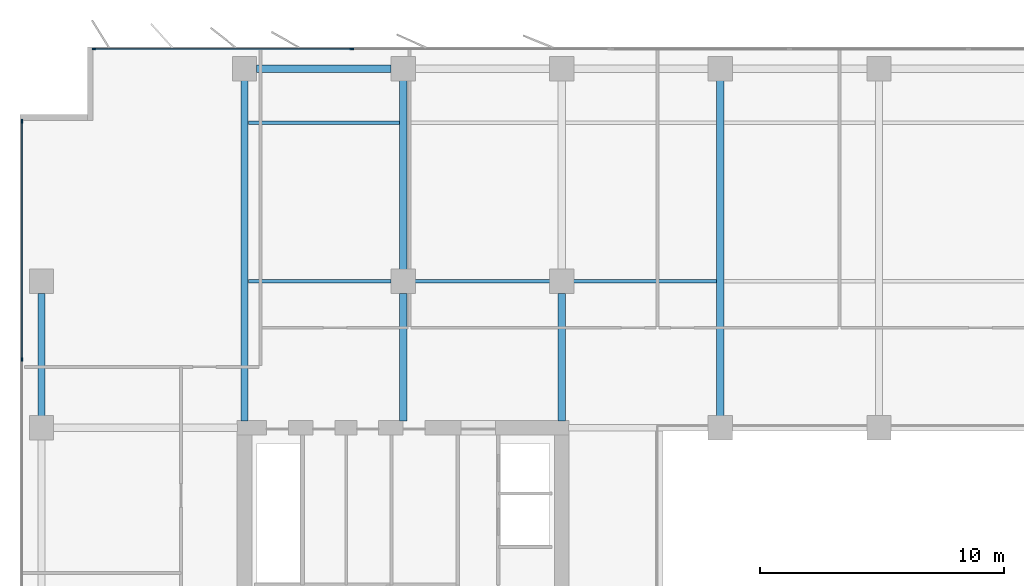
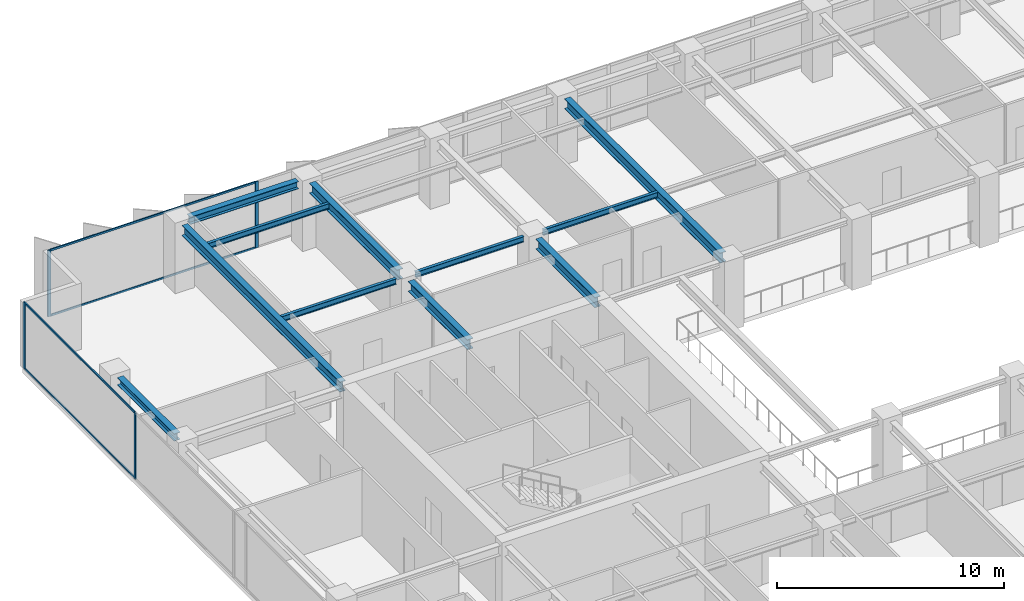
# One storey, part 8 of 22: 11 beams, 8 members, 2 elements without a shape of their own.
"""IFC4 building model written with IfcOpenShell, lengths in metres."""

from ifc_helpers import new_model, si_unit, direction, frame, origin, origin_2d, place, context, subcontext, project, spatial, rectangle, i_section, extrude, material, layer, layer_set, material_profile, profile_set, type_object, element, aggregate, save


model = new_model("IFC4")

# Units and contexts
model_context = context("Model", 3, precision=1e-05, world=origin(), true_north=direction((0.0, 1.0)))
body_context = subcontext(model_context, "Body", "Model", "MODEL_VIEW")
ifc_project = project(units=[si_unit("LENGTHUNIT", "METRE"), si_unit("AREAUNIT", "SQUARE_METRE"), si_unit("VOLUMEUNIT", "CUBIC_METRE"), si_unit("PLANEANGLEUNIT", "RADIAN"), si_unit("MASSUNIT", "GRAM", prefix="KILO")], contexts=[model_context])

# Site, building, storey
site_placement = place(None, origin())
site = spatial("IfcSite", under=ifc_project, at=site_placement, CompositionType="ELEMENT")
building_placement = place(site_placement, origin())
building = spatial("IfcBuilding", under=site, at=building_placement, Name="Putna Gate Headquarters", CompositionType="ELEMENT")
storey_placement = place(building_placement, frame((0.0, 0.0, 174.60009765625)))
storey = spatial("IfcBuildingStorey", under=building, at=storey_placement, Name="L43", CompositionType="ELEMENT", Elevation=174.60009765625)

# Beams
ifc_material_1 = material(Name="Steel S355J2", Category="steel")
ifc_material_profile_1 = material_profile(ifc_material_1, i_section(OverallWidth=0.300048828125, OverallDepth=0.550048828125, WebThickness=0.014892578125, FlangeThickness=0.029052734375, at=origin_2d()), Name="Steel S355J2")
ifc_profile_set_1 = profile_set([ifc_material_profile_1], Name="Steel S355J2")
beam_type_1 = type_object("IfcBeamType", Name="BM-GIRD-Z3-HEB550", PredefinedType="USERDEFINED", material=ifc_profile_set_1)
beam_1_placement = place(storey_placement, frame((13.0, 33.284912109375, 3.296875), z_axis=(0.0, 1.0, 0.0), x_axis=(-1.0, 0.0, 0.0)))
element("IfcBeam", 1, at=beam_1_placement, inside=storey, type_object=beam_type_1, Name="L43 North Primary Girder X13", ObjectType="GIRDER", PredefinedType="USERDEFINED", context=body_context, shape_type="SweptSolid", body=[
    extrude(i_section(OverallWidth=0.300048828125, OverallDepth=0.550048828125, WebThickness=0.014892578125, FlangeThickness=0.029052734375, at=origin_2d()), origin(), (0.0, 0.0, 1.0), 13.947021484375),
])
beam_2_placement = place(storey_placement, frame((19.5, 33.284912109375, 3.296875), z_axis=(0.0, 1.0, 0.0), x_axis=(-1.0, 0.0, 0.0)))
element("IfcBeam", 2, at=beam_2_placement, inside=storey, type_object=beam_type_1, Name="L43 North Primary Girder X19-1", ObjectType="GIRDER", PredefinedType="USERDEFINED", context=body_context, shape_type="SweptSolid", body=[
    extrude(i_section(OverallWidth=0.300048828125, OverallDepth=0.550048828125, WebThickness=0.014892578125, FlangeThickness=0.029052734375, at=origin_2d()), origin(), (0.0, 0.0, 1.0), 5.22705078125),
])
beam_3_placement = place(storey_placement, frame((19.5, 39.488037109375, 3.296875), z_axis=(0.0, 1.0, 0.0), x_axis=(-1.0, 0.0, 0.0)))
element("IfcBeam", 3, at=beam_3_placement, inside=storey, type_object=beam_type_1, Name="L43 North Primary Girder X19-2", ObjectType="GIRDER", PredefinedType="USERDEFINED", context=body_context, shape_type="SweptSolid", body=[
    extrude(i_section(OverallWidth=0.300048828125, OverallDepth=0.550048828125, WebThickness=0.014892578125, FlangeThickness=0.029052734375, at=origin_2d()), origin(), (0.0, 0.0, 1.0), 7.743896484375),
])
beam_4_placement = place(storey_placement, frame((26.0, 33.284912109375, 3.296875), z_axis=(0.0, 1.0, 0.0), x_axis=(-1.0, 0.0, 0.0)))
element("IfcBeam", 4, at=beam_4_placement, inside=storey, type_object=beam_type_1, Name="L43 North Primary Girder X26-1", ObjectType="GIRDER", PredefinedType="USERDEFINED", context=body_context, shape_type="SweptSolid", body=[
    extrude(i_section(OverallWidth=0.300048828125, OverallDepth=0.550048828125, WebThickness=0.014892578125, FlangeThickness=0.029052734375, at=origin_2d()), origin(), (0.0, 0.0, 1.0), 5.22705078125),
])
beam_5_placement = place(storey_placement, frame((32.5, 33.488037109375, 3.296875), z_axis=(0.0, 1.0, 0.0), x_axis=(-1.0, 0.0, 0.0)))
element("IfcBeam", 5, at=beam_5_placement, inside=storey, type_object=beam_type_1, Name="L43 North Primary Girder X32", ObjectType="GIRDER", PredefinedType="USERDEFINED", context=body_context, shape_type="SweptSolid", body=[
    extrude(i_section(OverallWidth=0.300048828125, OverallDepth=0.550048828125, WebThickness=0.014892578125, FlangeThickness=0.029052734375, at=origin_2d()), origin(), (0.0, 0.0, 1.0), 13.743896484375),
])
ifc_material_profile_2 = material_profile(ifc_material_1, i_section(OverallWidth=0.14990234375, OverallDepth=0.300048828125, WebThickness=0.007080078125, FlangeThickness=0.0107421875, at=origin_2d()), Name="Steel S355J2")
ifc_profile_set_2 = profile_set([ifc_material_profile_2], Name="Steel S355J2")
beam_type_2 = type_object("IfcBeamType", Name="BM-SEC-Z3-IPE300", PredefinedType="JOIST", material=ifc_profile_set_2)
beam_6_placement = place(storey_placement, frame((13.154052734375, 39.0, 3.421875), z_axis=(1.0, 0.0, 0.0), x_axis=(0.0, 1.0, 0.0)))
element("IfcBeam", 6, at=beam_6_placement, inside=storey, type_object=beam_type_2, Name="L43 North Secondary Beam 1", PredefinedType="JOIST", context=body_context, shape_type="SweptSolid", body=[
    extrude(i_section(OverallWidth=0.14990234375, OverallDepth=0.300048828125, WebThickness=0.007080078125, FlangeThickness=0.0107421875, at=origin_2d()), origin(), (0.0, 0.0, 1.0), 5.85791015625),
])
beam_7_placement = place(storey_placement, frame((13.154052734375, 45.5, 3.421875), z_axis=(1.0, 0.0, 0.0), x_axis=(0.0, 1.0, 0.0)))
element("IfcBeam", 7, at=beam_7_placement, inside=storey, type_object=beam_type_2, Name="L43 North Secondary Beam 1", PredefinedType="JOIST", context=body_context, shape_type="SweptSolid", body=[
    extrude(i_section(OverallWidth=0.14990234375, OverallDepth=0.300048828125, WebThickness=0.007080078125, FlangeThickness=0.0107421875, at=origin_2d()), origin(), (0.0, 0.0, 1.0), 6.19189453125),
])
beam_8_placement = place(storey_placement, frame((19.988037109375, 39.0, 3.421875), z_axis=(1.0, 0.0, 0.0), x_axis=(0.0, 1.0, 0.0)))
element("IfcBeam", 8, at=beam_8_placement, inside=storey, type_object=beam_type_2, Name="L43 North Secondary Beam 2", PredefinedType="JOIST", context=body_context, shape_type="SweptSolid", body=[
    extrude(i_section(OverallWidth=0.14990234375, OverallDepth=0.300048828125, WebThickness=0.007080078125, FlangeThickness=0.0107421875, at=origin_2d()), origin(), (0.0, 0.0, 1.0), 5.52392578125),
])
beam_9_placement = place(storey_placement, frame((26.488037109375, 39.0, 3.421875), z_axis=(1.0, 0.0, 0.0), x_axis=(0.0, 1.0, 0.0)))
element("IfcBeam", 9, at=beam_9_placement, inside=storey, type_object=beam_type_2, Name="L43 North Secondary Beam 3", PredefinedType="JOIST", context=body_context, shape_type="SweptSolid", body=[
    extrude(i_section(OverallWidth=0.14990234375, OverallDepth=0.300048828125, WebThickness=0.007080078125, FlangeThickness=0.0107421875, at=origin_2d()), origin(), (0.0, 0.0, 1.0), 5.85791015625),
])
ifc_material_profile_3 = material_profile(ifc_material_1, i_section(OverallWidth=0.300048828125, OverallDepth=0.39990234375, WebThickness=0.013427734375, FlangeThickness=0.02392578125, at=origin_2d()), Name="Steel S355J2")
ifc_profile_set_3 = profile_set([ifc_material_profile_3], Name="Steel S355J2")
beam_type_3 = type_object("IfcBeamType", Name="BM-SPAN-Z3-HEB400", PredefinedType="SPANDREL", material=ifc_profile_set_3)
beam_10_placement = place(storey_placement, frame((13.488037109375, 47.719970703125, 3.371826171875), z_axis=(1.0, 0.0, 0.0), x_axis=(0.0, 1.0, 0.0)))
element("IfcBeam", 10, at=beam_10_placement, inside=storey, type_object=beam_type_3, Name="L43 N Perimeter Spandrel 1", PredefinedType="SPANDREL", context=body_context, shape_type="SweptSolid", body=[
    extrude(i_section(OverallWidth=0.300048828125, OverallDepth=0.39990234375, WebThickness=0.013427734375, FlangeThickness=0.02392578125, at=origin_2d()), origin(), (0.0, 0.0, 1.0), 5.52392578125),
])
beam_11_placement = place(storey_placement, frame((4.679931640625, 33.488037109375, 3.371826171875), z_axis=(0.0, 1.0, 0.0), x_axis=(-1.0, 0.0, 0.0)))
element("IfcBeam", 11, at=beam_11_placement, inside=storey, type_object=beam_type_3, Name="L43 W End Spandrel 3", PredefinedType="SPANDREL", context=body_context, shape_type="SweptSolid", body=[
    extrude(i_section(OverallWidth=0.300048828125, OverallDepth=0.39990234375, WebThickness=0.013427734375, FlangeThickness=0.02392578125, at=origin_2d()), origin(), (0.0, 0.0, 1.0), 5.02392578125),
])

# Curtain wall, members
ifc_material_2 = material(Name="Anodised bronze aluminium curtain wall", Category="aluminium")
ifc_layer = layer(ifc_material_2, 0.159912109375)
ifc_layer_set = layer_set([ifc_layer], Name="Anodised bronze aluminium curtain wall")
curtain_wall_type = type_object("IfcCurtainWallType", Name="CW-SYS-Z3", PredefinedType="USERDEFINED", material=ifc_layer_set)
curtain_wall_1_placement = place(storey_placement, origin())
curtain_wall_1 = element("IfcCurtainWall", 12, at=curtain_wall_1_placement, inside=storey, type_object=curtain_wall_type, Name="L43 North West Curtain Wall", ObjectType="STICK CURTAIN WALL", PredefinedType="USERDEFINED")
ifc_material_3 = material(Name="Anodised bronze aluminium EN AW-6060", Category="aluminium")
ifc_material_profile_4 = material_profile(ifc_material_3, rectangle(XDim=0.06494140625, YDim=0.159912109375, at=origin_2d()), Name="Anodised bronze aluminium EN AW-6060")
ifc_profile_set_4 = profile_set([ifc_material_profile_4], Name="Anodised bronze aluminium EN AW-6060")
member_type_1 = type_object("IfcMemberType", Name="MULL-CWM-3", PredefinedType="MULLION", material=ifc_profile_set_4)
member_1_placement = place(storey_placement, frame((6.83251953125, 48.52001953125, 0.0), z_axis=(0.0, 0.0, 1.0), x_axis=(0.0, 1.0, 0.0)))
member_1 = element("IfcMember", 13, at=member_1_placement, type_object=member_type_1, Name="CWS-3 mullion 1", PredefinedType="MULLION", context=body_context, shape_type="SweptSolid", body=[
    extrude(rectangle(XDim=0.06494140625, YDim=0.159912109375, at=origin_2d()), origin(), (0.0, 0.0, 1.0), 3.572021484375),
])
member_2_placement = place(storey_placement, frame((17.39990234375, 48.52001953125, 0.0), z_axis=(0.0, 0.0, 1.0), x_axis=(0.0, 1.0, 0.0)))
member_2 = element("IfcMember", 14, at=member_2_placement, type_object=member_type_1, Name="CWS-3 mullion 2", PredefinedType="MULLION", context=body_context, shape_type="SweptSolid", body=[
    extrude(rectangle(XDim=0.06494140625, YDim=0.159912109375, at=origin_2d()), origin(), (0.0, 0.0, 1.0), 3.572021484375),
])

curtain_wall_2_placement = place(storey_placement, origin())
curtain_wall_2 = element("IfcCurtainWall", 15, at=curtain_wall_2_placement, inside=storey, type_object=curtain_wall_type, Name="L43 West Curtain Wall", ObjectType="STICK CURTAIN WALL", PredefinedType="USERDEFINED")
member_3_placement = place(storey_placement, frame((3.8798828125, 35.800048828125, 0.0), z_axis=(0.0, 0.0, 1.0), x_axis=(-1.0, 0.0, 0.0)))
member_3 = element("IfcMember", 16, at=member_3_placement, type_object=member_type_1, Name="CWS-3 mullion 4", PredefinedType="MULLION", context=body_context, shape_type="SweptSolid", body=[
    extrude(rectangle(XDim=0.06494140625, YDim=0.159912109375, at=origin_2d()), origin(), (0.0, 0.0, 1.0), 3.572021484375),
])
member_4_placement = place(storey_placement, frame((3.8798828125, 45.5673828125, 0.0), z_axis=(0.0, 0.0, 1.0), x_axis=(-1.0, 0.0, 0.0)))
member_4 = element("IfcMember", 17, at=member_4_placement, type_object=member_type_1, Name="CWS-3 mullion 5", PredefinedType="MULLION", context=body_context, shape_type="SweptSolid", body=[
    extrude(rectangle(XDim=0.06494140625, YDim=0.159912109375, at=origin_2d()), origin(), (0.0, 0.0, 1.0), 3.572021484375),
])

# Member
ifc_material_profile_5 = material_profile(ifc_material_3, rectangle(XDim=0.06005859375, YDim=0.10009765625, at=origin_2d()), Name="Anodised bronze aluminium EN AW-6060")
ifc_profile_set_5 = profile_set([ifc_material_profile_5], Name="Anodised bronze aluminium EN AW-6060")
member_type_2 = type_object("IfcMemberType", Name="TRAN-CWT-3", PredefinedType="USERDEFINED", material=ifc_profile_set_5)
member_5_placement = place(storey_placement, frame((6.864990234375, 48.52001953125, 0.02978515625), z_axis=(1.0, 0.0, 0.0), x_axis=(0.0, 1.0, 0.0)))
member_5 = element("IfcMember", 18, at=member_5_placement, type_object=member_type_2, Name="CWS-3 transom 1.1", ObjectType="TRANSOM", PredefinedType="USERDEFINED", context=body_context, shape_type="SweptSolid", body=[
    extrude(rectangle(XDim=0.06005859375, YDim=0.10009765625, at=origin_2d()), origin(), (0.0, 0.0, 1.0), 10.50244140625),
])

member_6_placement = place(storey_placement, frame((6.864990234375, 48.52001953125, 3.5419921875), z_axis=(1.0, 0.0, 0.0), x_axis=(0.0, 1.0, 0.0)))
member_6 = element("IfcMember", 19, at=member_6_placement, type_object=member_type_2, Name="CWS-3 transom 1.2", ObjectType="TRANSOM", PredefinedType="USERDEFINED", context=body_context, shape_type="SweptSolid", body=[
    extrude(rectangle(XDim=0.06005859375, YDim=0.10009765625, at=origin_2d()), origin(), (0.0, 0.0, 1.0), 10.50244140625),
])

aggregate(curtain_wall_1, [member_1, member_2, member_5, member_6])

member_7_placement = place(storey_placement, frame((3.8798828125, 35.83251953125, 0.02978515625), z_axis=(0.0, 1.0, 0.0), x_axis=(-1.0, 0.0, 0.0)))
member_7 = element("IfcMember", 20, at=member_7_placement, type_object=member_type_2, Name="CWS-3 transom 4.1", ObjectType="TRANSOM", PredefinedType="USERDEFINED", context=body_context, shape_type="SweptSolid", body=[
    extrude(rectangle(XDim=0.06005859375, YDim=0.10009765625, at=origin_2d()), origin(), (0.0, 0.0, 1.0), 9.702392578125),
])

member_8_placement = place(storey_placement, frame((3.8798828125, 35.83251953125, 3.5419921875), z_axis=(0.0, 1.0, 0.0), x_axis=(-1.0, 0.0, 0.0)))
member_8 = element("IfcMember", 21, at=member_8_placement, type_object=member_type_2, Name="CWS-3 transom 4.2", ObjectType="TRANSOM", PredefinedType="USERDEFINED", context=body_context, shape_type="SweptSolid", body=[
    extrude(rectangle(XDim=0.06005859375, YDim=0.10009765625, at=origin_2d()), origin(), (0.0, 0.0, 1.0), 9.702392578125),
])

aggregate(curtain_wall_2, [member_3, member_4, member_7, member_8])

save(model, "model.ifc")
